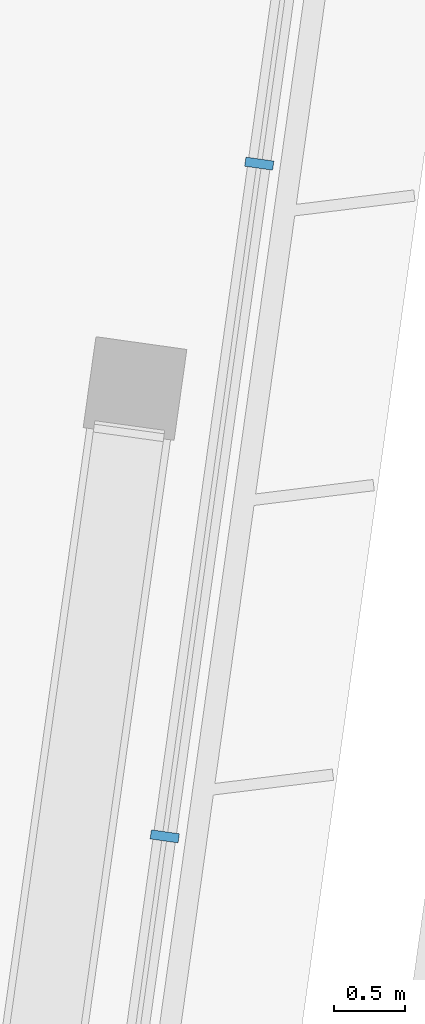
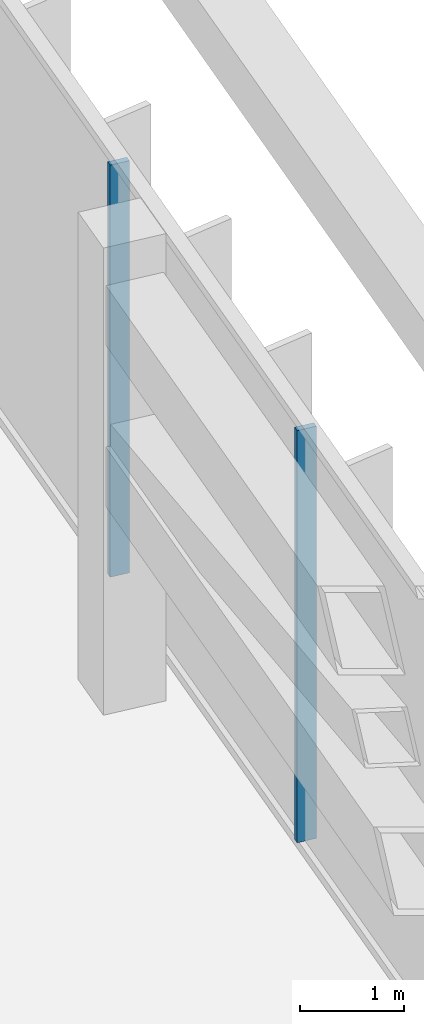
# One storey, part 9 of 41: 2 members, 1 element without a shape of its own.
"""IFC4 building model written with IfcOpenShell, lengths in metres."""

from ifc_helpers import new_model, si_unit, direction, frame, origin, origin_2d, place, context, subcontext, project, spatial, rectangle, extrude, material, material_profile, profile_set, type_object, element, aggregate, save


model = new_model("IFC4")

# Units and contexts
model_context = context("Model", 3, precision=1e-05, world=origin(), true_north=direction((0.0, 1.0)))
body_context = subcontext(model_context, "Body", "Model", "MODEL_VIEW")
ifc_project = project(units=[si_unit("LENGTHUNIT", "METRE"), si_unit("AREAUNIT", "SQUARE_METRE"), si_unit("VOLUMEUNIT", "CUBIC_METRE"), si_unit("PLANEANGLEUNIT", "RADIAN"), si_unit("MASSUNIT", "GRAM", prefix="KILO")], contexts=[model_context])

# Site, building, storey
site_placement = place(None, origin())
site = spatial("IfcSite", under=ifc_project, at=site_placement, CompositionType="ELEMENT")
building_placement = place(site_placement, origin())
building = spatial("IfcBuilding", under=site, at=building_placement, Name="Mirante Cascada Hotel Towers", CompositionType="ELEMENT")
storey_placement = place(building_placement, frame((0.0, 0.0, 151.9)))
storey = spatial("IfcBuildingStorey", under=building, at=storey_placement, Name="L35", CompositionType="ELEMENT", Elevation=151.9)

# Curtain wall, members
ifc_material_1 = material(Name="Aluminium mullion and transom frame with clear laminated glass", Category="aluminium")
curtain_wall_type = type_object("IfcCurtainWallType", Name="End ribbon curtain wall ECW2", PredefinedType="NOTDEFINED", material=ifc_material_1)
curtain_wall_placement = place(storey_placement, origin())
curtain_wall = element("IfcCurtainWall", 1, at=curtain_wall_placement, inside=storey, type_object=curtain_wall_type, Name="Inner end wall T1 L35", PredefinedType="NOTDEFINED")
ifc_material_2 = material(Name="Anodised aluminium extrusion", Category="aluminium")
ifc_material_profile = material_profile(ifc_material_2, rectangle(XDim=0.2, YDim=0.065, at=origin_2d()), Name="ECW2 MULLION 65x200")
ifc_profile_set = profile_set([ifc_material_profile], Name="Anodised aluminium extrusion")
member_type = type_object("IfcMemberType", Name="ECW2 mullion 65x200", PredefinedType="MULLION", material=ifc_profile_set)
member_1_placement = place(storey_placement, frame((-28.809, 7.5524, 0.1), z_axis=(0.0, 0.0, 1.0), x_axis=(0.9902681, -0.1391731, 0.0)))
member_1 = element("IfcMember", 2, at=member_1_placement, type_object=member_type, Name="ECW2 mullion 2", PredefinedType="MULLION", context=body_context, shape_type="SweptSolid", body=[
    extrude(rectangle(XDim=0.2, YDim=0.065, at=origin_2d()), origin(), (0.0, 0.0, 1.0), 4.85),
])
member_2_placement = place(storey_placement, frame((-29.4788, 2.7867, 0.1), z_axis=(0.0, 0.0, 1.0), x_axis=(0.9902681, -0.1391731, 0.0)))
member_2 = element("IfcMember", 3, at=member_2_placement, type_object=member_type, Name="ECW2 mullion 3", PredefinedType="MULLION", context=body_context, shape_type="SweptSolid", body=[
    extrude(rectangle(XDim=0.2, YDim=0.065, at=origin_2d()), origin(), (0.0, 0.0, 1.0), 4.85),
])
aggregate(curtain_wall, [member_1, member_2])

save(model, "model.ifc")
